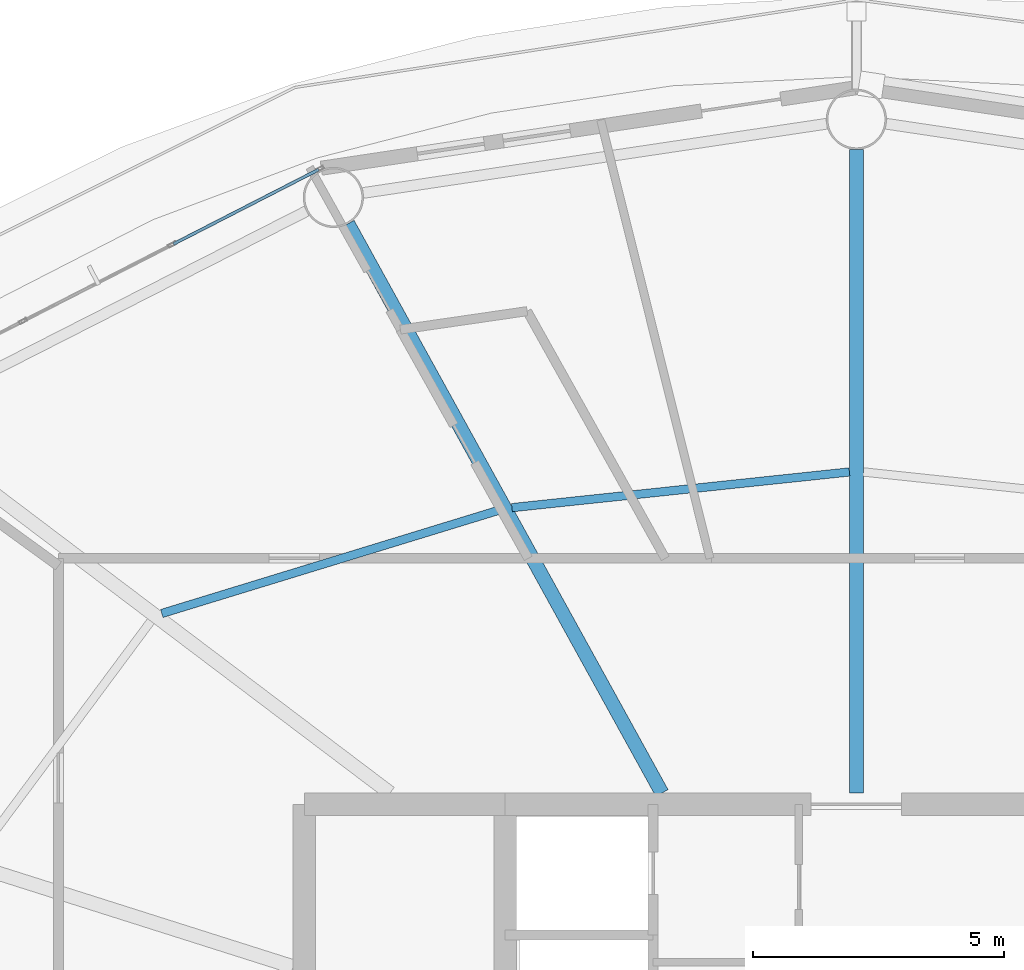
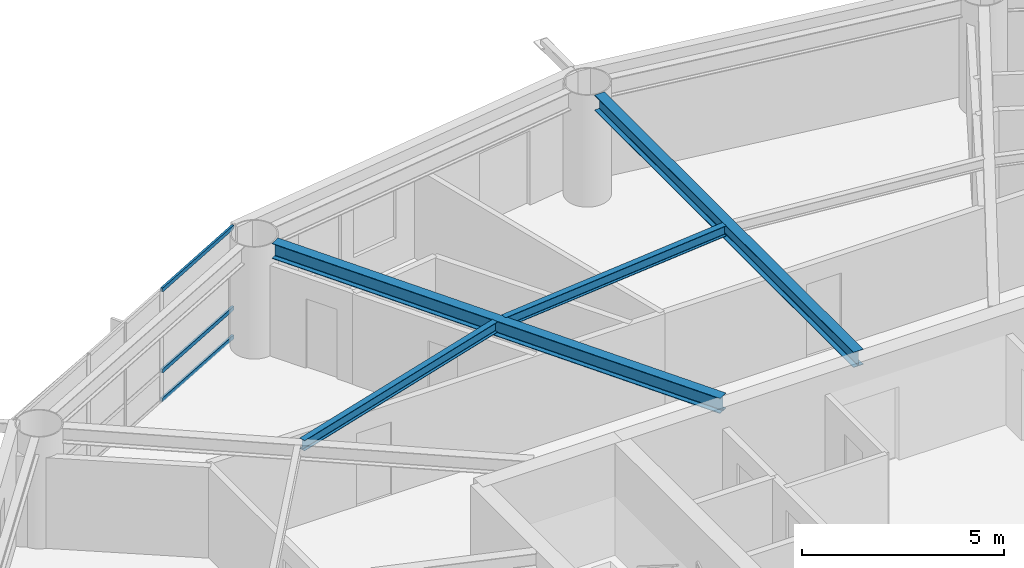
# One storey, part 12 of 27: 4 beams, 3 members, 1 element without a shape of its own.
"""IFC4 building model written with IfcOpenShell, lengths in metres."""

from ifc_helpers import new_model, si_unit, direction, frame, origin, origin_2d, place, context, subcontext, project, spatial, hollow_rectangle, i_section, extrude, material, layer, layer_set, material_profile, profile_set, type_object, element, aggregate, save


model = new_model("IFC4")

# Units and contexts
model_context = context("Model", 3, precision=1e-05, world=origin(), true_north=direction((0.0, 1.0)))
body_context = subcontext(model_context, "Body", "Model", "MODEL_VIEW")
ifc_project = project(units=[si_unit("LENGTHUNIT", "METRE"), si_unit("AREAUNIT", "SQUARE_METRE"), si_unit("VOLUMEUNIT", "CUBIC_METRE"), si_unit("PLANEANGLEUNIT", "RADIAN"), si_unit("MASSUNIT", "GRAM", prefix="KILO")], contexts=[model_context])

# Site, building, storey
site_placement = place(None, origin())
site = spatial("IfcSite", under=ifc_project, at=site_placement, CompositionType="ELEMENT")
building_placement = place(site_placement, origin())
building = spatial("IfcBuilding", under=site, at=building_placement, Name="Sarneth Arch Tower", CompositionType="ELEMENT")
storey_placement = place(building_placement, frame((0.0, 0.0, 186.60009765625)))
storey = spatial("IfcBuildingStorey", under=building, at=storey_placement, Name="L47", CompositionType="ELEMENT", Elevation=186.60009765625)

# Beams
ifc_material_1 = material(Name="Steel S355", Category="steel")
ifc_material_profile_1 = material_profile(ifc_material_1, i_section(OverallWidth=0.1669921875, OverallDepth=0.31689453125, WebThickness=0.007568359375, FlangeThickness=0.01318359375, FilletRadius=0.012939453125, at=origin_2d()), Name="W310x52")
ifc_profile_set_1 = profile_set([ifc_material_profile_1], Name="Steel S355")
beam_type_1 = type_object("IfcBeamType", Name="BM-JOIST-310B", PredefinedType="JOIST", material=ifc_profile_set_1)
beam_1_placement = place(storey_placement, frame((47.86083984375, 55.4228515625, 3.221435546875), z_axis=(-0.994447340543, -0.105235387994, 0.0), x_axis=(0.105235387994, -0.994447340543, 0.0)))
element("IfcBeam", 1, at=beam_1_placement, inside=storey, type_object=beam_type_1, Name="L47 Secondary floor joist 05", PredefinedType="JOIST", context=body_context, shape_type="SweptSolid", body=[
    extrude(i_section(OverallWidth=0.1669921875, OverallDepth=0.31689453125, WebThickness=0.007568359375, FlangeThickness=0.01318359375, FilletRadius=0.012939453125, at=origin_2d()), origin(), (0.0, 0.0, 1.0), 6.7626953125),
])
beam_2_placement = place(storey_placement, frame((40.862548828125, 54.655517578125, 3.221435546875), z_axis=(-0.956178669891, -0.292783796076, 0.0), x_axis=(0.292783796076, -0.956178669891, 0.0)))
element("IfcBeam", 2, at=beam_2_placement, inside=storey, type_object=beam_type_1, Name="L47 Secondary floor joist 06", PredefinedType="JOIST", context=body_context, shape_type="SweptSolid", body=[
    extrude(i_section(OverallWidth=0.1669921875, OverallDepth=0.31689453125, WebThickness=0.007568359375, FlangeThickness=0.01318359375, FilletRadius=0.012939453125, at=origin_2d()), origin(), (0.0, 0.0, 1.0), 7.010986328125),
])
ifc_material_2 = material(Name="Steel S355", Category="steel")
ifc_material_profile_2 = material_profile(ifc_material_2, i_section(OverallWidth=0.280029296875, OverallDepth=0.462890625, WebThickness=0.0107421875, FlangeThickness=0.017333984375, FilletRadius=0.01806640625, at=origin_2d()), Name="W460x113")
ifc_profile_set_2 = profile_set([ifc_material_profile_2], Name="Steel S355")
beam_type_2 = type_object("IfcBeamType", Name="BM-RAD-460A", PredefinedType="BEAM", material=ifc_profile_set_2)
beam_3_placement = place(storey_placement, frame((48.0, 49.02490234375, 3.1484375), z_axis=(0.0, 1.0, 0.0), x_axis=(-1.0, 0.0, 0.0)))
element("IfcBeam", 3, at=beam_3_placement, inside=storey, type_object=beam_type_2, Name="L47 Radial floor girder 05", PredefinedType="BEAM", context=body_context, shape_type="SweptSolid", body=[
    extrude(i_section(OverallWidth=0.280029296875, OverallDepth=0.462890625, WebThickness=0.0107421875, FlangeThickness=0.017333984375, FilletRadius=0.01806640625, at=origin_2d()), origin(), (0.0, 0.0, 1.0), 12.8251953125),
])
beam_4_placement = place(storey_placement, frame((44.125, 49.02490234375, 3.1484375), z_axis=(-0.483010082599, 0.875614789795, 0.0), x_axis=(-0.875614789795, -0.483010082599, 0.0)))
element("IfcBeam", 4, at=beam_4_placement, inside=storey, type_object=beam_type_2, Name="L47 Radial floor girder 06", PredefinedType="BEAM", context=body_context, shape_type="SweptSolid", body=[
    extrude(i_section(OverallWidth=0.280029296875, OverallDepth=0.462890625, WebThickness=0.0107421875, FlangeThickness=0.017333984375, FilletRadius=0.01806640625, at=origin_2d()), origin(), (0.0, 0.0, 1.0), 12.954345703125),
])

# Curtain wall, members
ifc_material_3 = material(Name="Anodised aluminium Type AA25 and solar-control low-e laminated IGU", Category="aluminium")
ifc_layer = layer(ifc_material_3, 0.169921875)
ifc_layer_set = layer_set([ifc_layer], Name="Anodised aluminium Type AA25 and solar-control low-e laminated IGU")
curtain_wall_type = type_object("IfcCurtainWallType", Name="CW-RES-MID", PredefinedType="NOTDEFINED", material=ifc_layer_set)
curtain_wall_placement = place(storey_placement, origin())
curtain_wall = element("IfcCurtainWall", 5, at=curtain_wall_placement, inside=storey, type_object=curtain_wall_type, Name="L47 Unitised curtain wall facet 06", PredefinedType="NOTDEFINED")
ifc_material_4 = material(Name="Anodised Aluminium 6063-T6", Category="aluminium")
ifc_material_profile_3 = material_profile(ifc_material_4, hollow_rectangle(XDim=0.06005859375, YDim=0.1201171875, WallThickness=0.00390625, at=origin_2d()), Name="AL-TRAN-120x60x4")
ifc_profile_set_3 = profile_set([ifc_material_profile_3], Name="Anodised Aluminium 6063-T6")
member_type = type_object("IfcMemberType", Name="CW-TRANSOM", PredefinedType="USERDEFINED", material=ifc_profile_set_3)
member_1_placement = place(storey_placement, frame((37.28369140625, 61.447998046875, 0.02978515625), z_axis=(-0.889857362344, -0.456238835131, 0.0), x_axis=(0.456238835131, -0.889857362344, 0.0)))
member_1 = element("IfcMember", 6, at=member_1_placement, type_object=member_type, Name="CW-SYS-5 transom 1.1", ObjectType="TRANSOM", PredefinedType="USERDEFINED", context=body_context, shape_type="SweptSolid", body=[
    extrude(hollow_rectangle(XDim=0.06005859375, YDim=0.1201171875, WallThickness=0.00390625, at=origin_2d()), origin(), (0.0, 0.0, 1.0), 3.248779296875),
])
member_2_placement = place(storey_placement, frame((37.28369140625, 61.447998046875, 0.89990234375), z_axis=(-0.889857362344, -0.456238835131, 0.0), x_axis=(0.456238835131, -0.889857362344, 0.0)))
member_2 = element("IfcMember", 7, at=member_2_placement, type_object=member_type, Name="CW-SYS-5 transom 1.2", ObjectType="TRANSOM", PredefinedType="USERDEFINED", context=body_context, shape_type="SweptSolid", body=[
    extrude(hollow_rectangle(XDim=0.06005859375, YDim=0.1201171875, WallThickness=0.00390625, at=origin_2d()), origin(), (0.0, 0.0, 1.0), 3.248779296875),
])
member_3_placement = place(storey_placement, frame((37.28369140625, 61.447998046875, 3.349853515625), z_axis=(-0.889857362344, -0.456238835131, 0.0), x_axis=(0.456238835131, -0.889857362344, 0.0)))
member_3 = element("IfcMember", 8, at=member_3_placement, type_object=member_type, Name="CW-SYS-5 transom 1.3", ObjectType="TRANSOM", PredefinedType="USERDEFINED", context=body_context, shape_type="SweptSolid", body=[
    extrude(hollow_rectangle(XDim=0.06005859375, YDim=0.1201171875, WallThickness=0.00390625, at=origin_2d()), origin(), (0.0, 0.0, 1.0), 3.248779296875),
])
aggregate(curtain_wall, [member_1, member_2, member_3])

save(model, "model.ifc")
